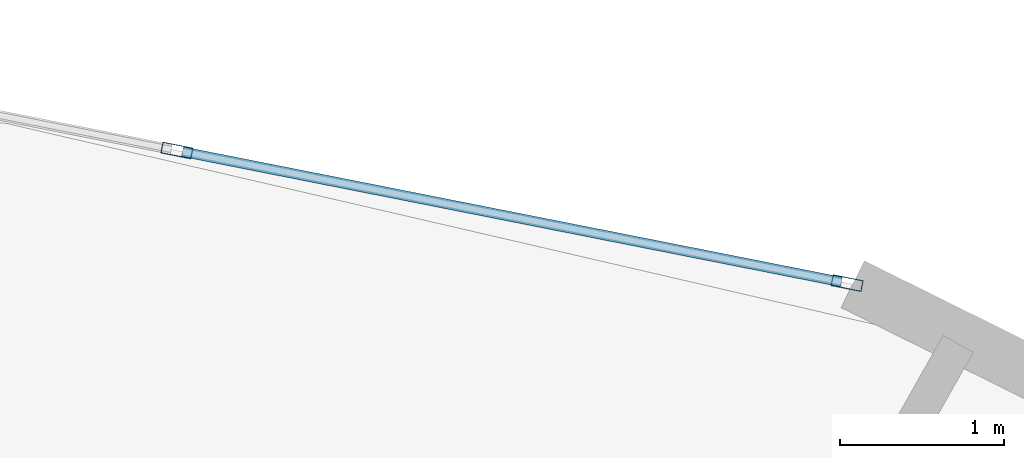
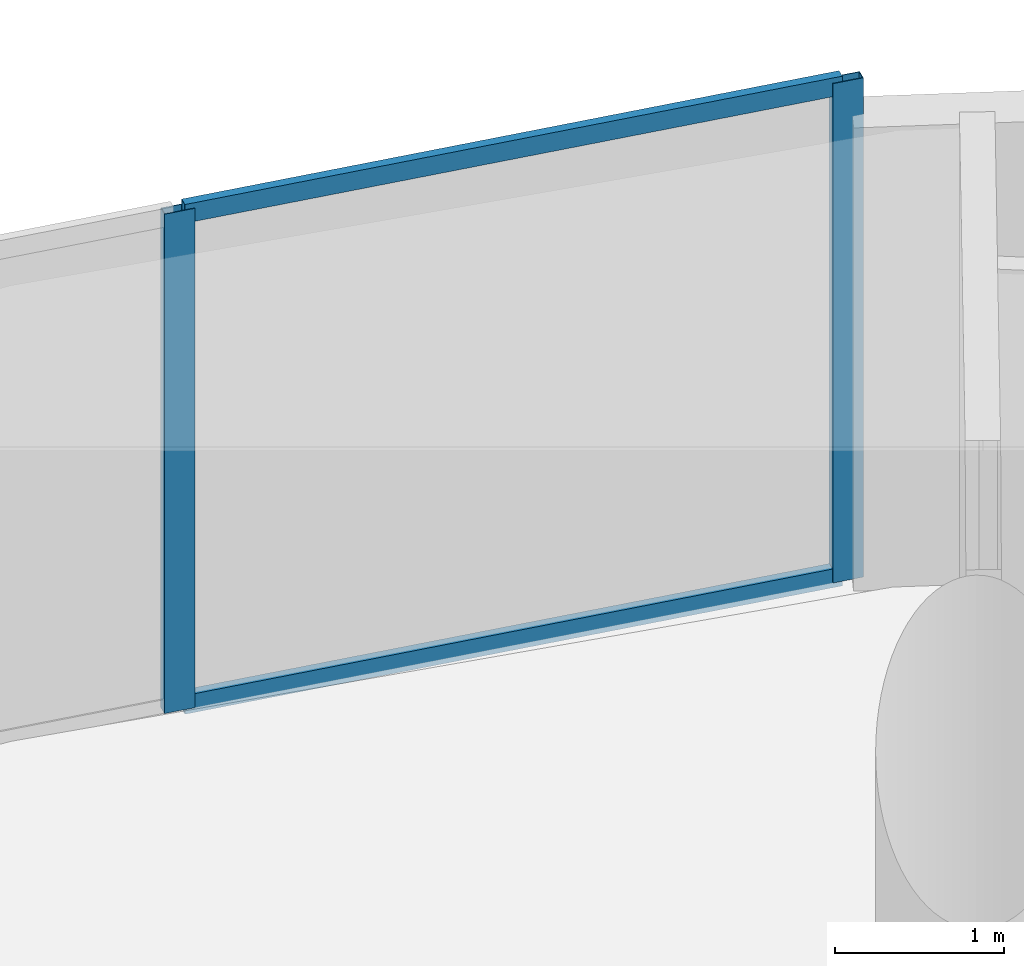
# One storey, part 17 of 26: 4 members, 1 element without a shape of its own.
"""IFC4 building model written with IfcOpenShell, lengths in metres."""

from ifc_helpers import new_model, si_unit, direction, frame, origin, origin_2d, place, context, subcontext, project, spatial, hollow_rectangle, extrude, source, transform, mapped, material, layer, layer_set, material_profile, profile_set, type_object, element, aggregate, save


model = new_model("IFC4")

# Units and contexts
model_context = context("Model", 3, precision=1e-05, world=origin(), true_north=direction((0.0, 1.0)))
body_context = subcontext(model_context, "Body", "Model", "MODEL_VIEW")
ifc_project = project(units=[si_unit("LENGTHUNIT", "METRE"), si_unit("AREAUNIT", "SQUARE_METRE"), si_unit("VOLUMEUNIT", "CUBIC_METRE"), si_unit("PLANEANGLEUNIT", "RADIAN"), si_unit("MASSUNIT", "GRAM", prefix="KILO")], contexts=[model_context])

# Site, building, storey
site_placement = place(None, origin())
site = spatial("IfcSite", under=ifc_project, at=site_placement, CompositionType="ELEMENT")
building_placement = place(site_placement, origin())
building = spatial("IfcBuilding", under=site, at=building_placement, Name="Solvirekh Grand Hotel", CompositionType="ELEMENT")
storey_placement = place(building_placement, frame((0.0, 0.0, 32.0)))
storey = spatial("IfcBuildingStorey", under=building, at=storey_placement, Name="L06", CompositionType="ELEMENT", Elevation=32.0)

# Curtain wall, members
ifc_material = material(Name="Anodized Bronze Aluminium 6063-T6", Category="aluminium")
ifc_layer = layer(ifc_material, 0.18994140625)
ifc_layer_set = layer_set([ifc_layer], Name="Anodized Bronze Aluminium 6063-T6")
curtain_wall_type = type_object("IfcCurtainWallType", Name="CW_Sys2_LowZoneFlushBronzeCW", PredefinedType="NOTDEFINED", material=ifc_layer_set)
curtain_wall_placement = place(storey_placement, origin())
curtain_wall = element("IfcCurtainWall", 1, at=curtain_wall_placement, inside=storey, type_object=curtain_wall_type, Name="L06 unitised bronze-glass curtain wall CW-L06-C05", PredefinedType="NOTDEFINED")
ifc_material_profile_1 = material_profile(ifc_material, hollow_rectangle(XDim=0.070068359375, YDim=0.18994140625, WallThickness=0.0048828125, at=origin_2d()), Name="ALU RHS 190X70X5")
ifc_profile_set_1 = profile_set([ifc_material_profile_1], Name="Anodized Bronze Aluminium 6063-T6")
member_type_1 = type_object("IfcMemberType", Name="CWMullion_Sys2", PredefinedType="MULLION", material=ifc_profile_set_1)
shared_shape_1 = source(origin(), body_context, "Body", "SweptSolid", [
    extrude(hollow_rectangle(XDim=0.070068359375, YDim=0.18994140625, WallThickness=0.0048828125, at=origin_2d()), origin(), (0.0, 0.0, 1.0), 3.60009765625),
])
member_1_placement = place(storey_placement, frame((10.841552734375, 20.32470703125, 0.0), z_axis=(0.0, 0.0, 1.0), x_axis=(-0.194104185406, -0.9809809199, 0.0)))
member_1 = element("IfcMember", 2, at=member_1_placement, type_object=member_type_1, Name="U02 mullion 1", PredefinedType="MULLION", context=body_context, shape_type="MappedRepresentation", body=[
    mapped(shared_shape_1, transform((0.0, 0.0, 0.0), x_axis=(1.0, 0.0, 0.0), y_axis=(0.0, 1.0, 0.0), z_axis=(0.0, 0.0, 1.0), scale=1.0)),
])
member_2_placement = place(storey_placement, frame((6.74951171875, 21.134521484375, 0.0), z_axis=(0.0, 0.0, 1.0), x_axis=(-0.194104185406, -0.9809809199, 0.0)))
member_2 = element("IfcMember", 3, at=member_2_placement, type_object=member_type_1, Name="U02 mullion 2", PredefinedType="MULLION", context=body_context, shape_type="MappedRepresentation", body=[
    mapped(shared_shape_1, transform((0.0, 0.0, 0.0), x_axis=(1.0, 0.0, 0.0), y_axis=(0.0, 1.0, 0.0), z_axis=(0.0, 0.0, 1.0), scale=1.0)),
])
ifc_material_profile_2 = material_profile(ifc_material, hollow_rectangle(XDim=0.06005859375, YDim=0.135009765625, WallThickness=0.00390625, at=origin_2d()), Name="ALU RHS 135X60X4")
ifc_profile_set_2 = profile_set([ifc_material_profile_2], Name="Anodized Bronze Aluminium 6063-T6")
member_type_2 = type_object("IfcMemberType", Name="CWTransom_Sys2", PredefinedType="USERDEFINED", material=ifc_profile_set_2)
shared_shape_2 = source(origin(), body_context, "Body", "SweptSolid", [
    extrude(hollow_rectangle(XDim=0.06005859375, YDim=0.135009765625, WallThickness=0.00390625, at=origin_2d()), origin(), (0.0, 0.0, 1.0), 4.1015625),
])
member_3_placement = place(storey_placement, frame((10.807373046875, 20.33154296875, 0.030029296875), z_axis=(-0.980979281439, 0.194112465824, 0.0), x_axis=(-0.194112465824, -0.980979281439, 0.0)))
member_3 = element("IfcMember", 4, at=member_3_placement, type_object=member_type_2, Name="U02 transom 1.1", ObjectType="TRANSOM", PredefinedType="USERDEFINED", context=body_context, shape_type="MappedRepresentation", body=[
    mapped(shared_shape_2, transform((0.0, 0.0, 0.0), x_axis=(1.0, 0.0, 0.0), y_axis=(0.0, 1.0, 0.0), z_axis=(0.0, 0.0, 1.0), scale=1.0)),
])
member_4_placement = place(storey_placement, frame((10.807373046875, 20.33154296875, 3.570068359375), z_axis=(-0.980979281439, 0.194112465824, 0.0), x_axis=(-0.194112465824, -0.980979281439, 0.0)))
member_4 = element("IfcMember", 5, at=member_4_placement, type_object=member_type_2, Name="U02 transom 1.2", ObjectType="TRANSOM", PredefinedType="USERDEFINED", context=body_context, shape_type="MappedRepresentation", body=[
    mapped(shared_shape_2, transform((0.0, 0.0, 0.0), x_axis=(1.0, 0.0, 0.0), y_axis=(0.0, 1.0, 0.0), z_axis=(0.0, 0.0, 1.0), scale=1.0)),
])
aggregate(curtain_wall, [member_1, member_2, member_3, member_4])

save(model, "model.ifc")
